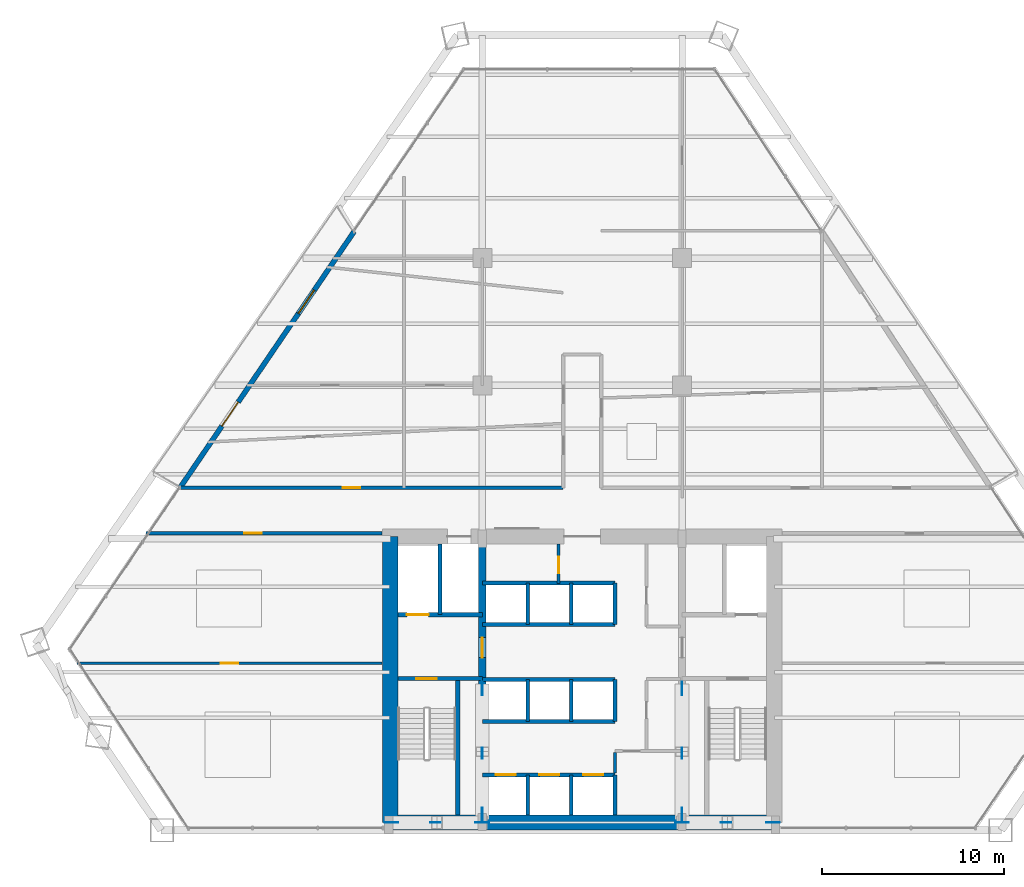
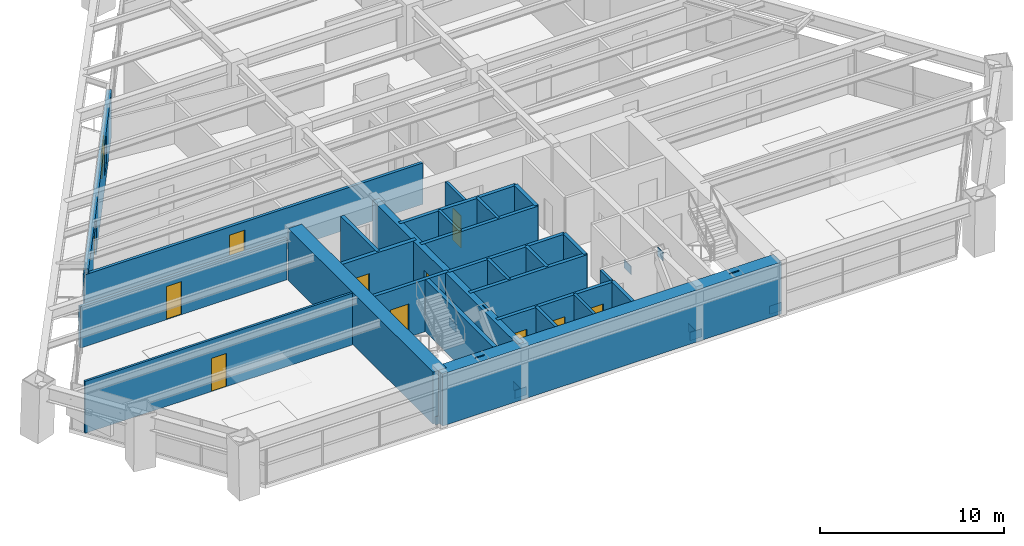
# One storey, part 10 of 14: 27 walls, 12 plates, 11 doors, 1 window, 12 openings.
"""IFC4 building model written with IfcOpenShell, lengths in metres."""

from ifc_helpers import new_model, si_unit, direction, frame, frame_2d, origin, origin_2d, place, context, subcontext, project, spatial, rectangle, extrude, source, transform, mapped, material, layer, layer_set, type_object, type_shapes, element, fill, save


model = new_model("IFC4")

# Units and contexts
model_context = context("Model", 3, precision=1e-05, world=origin(), true_north=direction((0.0, 1.0)))
body_context = subcontext(model_context, "Body", "Model", "MODEL_VIEW")
ifc_project = project(units=[si_unit("LENGTHUNIT", "METRE"), si_unit("AREAUNIT", "SQUARE_METRE"), si_unit("VOLUMEUNIT", "CUBIC_METRE"), si_unit("PLANEANGLEUNIT", "RADIAN"), si_unit("MASSUNIT", "GRAM", prefix="KILO")], contexts=[model_context])

# Site, building, storey
site_placement = place(None, origin())
site = spatial("IfcSite", under=ifc_project, at=site_placement, CompositionType="ELEMENT")
building_placement = place(site_placement, origin())
building = spatial("IfcBuilding", under=site, at=building_placement, Name="Varnakhor Terracotta Tower", CompositionType="ELEMENT")
storey_placement = place(building_placement, frame((0.0, 0.0, 64.5)))
storey = spatial("IfcBuildingStorey", under=building, at=storey_placement, Name="L15", CompositionType="ELEMENT", Elevation=64.5)

# Plates
ifc_material_1 = material(Name="Steel S460", Category="steel")
ifc_layer_1 = layer(ifc_material_1, 0.050048828125, Name="Steel S460")
ifc_layer_set_1 = layer_set([ifc_layer_1], Name="Steel S460")
plate_type = type_object("IfcPlateType", Name="PLT-GUSSET-50", PredefinedType="USERDEFINED", material=ifc_layer_set_1)
shared_shape_1 = source(origin(), body_context, "Body", "SweptSolid", [
    extrude(rectangle(XDim=0.75, YDim=0.0400390625, at=origin_2d()), origin(), (0.0, 0.0, 1.0), 0.550048828125),
])
type_shapes(plate_type, [shared_shape_1])
for number, where, z_axis, x_axis, name in (
    (1, (-10.5, 0.419921875, -0.09521484375), (0.0, 0.0, 1.0), (1.0, 0.0, 0.0), "L15 Core Brace Embed Plate CSWA"),
    (2, (-5.5, 0.419921875, -0.09521484375), (0.0, 0.0, 1.0), (1.0, 0.0, 0.0), "L15 Core Brace Embed Plate CSWB"),
    (3, (5.5, 0.419921875, -0.09521484375), (0.0, 0.0, 1.0), (1.0, 0.0, 0.0), "L15 Core Brace Embed Plate CSEA"),
    (4, (10.5, 0.419921875, -0.09521484375), (0.0, 0.0, 1.0), (1.0, 0.0, 0.0), "L15 Core Brace Embed Plate CSEB"),
    (5, (-5.5, 0.85009765625, -0.09521484375), (0.0, 0.0, 1.0), (0.0, 1.0, 0.0), "L15 Core Brace Embed Plate CWWA"),
    (6, (-5.5, 7.800048828125, -0.09521484375), (0.0, 0.0, 1.0), (0.0, 1.0, 0.0), "L15 Core Brace Embed Plate CWWB"),
    (7, (5.5, 0.85009765625, -0.09521484375), (0.0, 0.0, 1.0), (0.0, 1.0, 0.0), "L15 Core Brace Embed Plate CWEA"),
    (8, (5.5, 7.800048828125, -0.09521484375), (0.0, 0.0, 1.0), (0.0, 1.0, 0.0), "L15 Core Brace Embed Plate CWEB"),
):
    element("IfcPlate", number, at=place(storey_placement, frame(where, z_axis=z_axis, x_axis=x_axis)), inside=storey, type_object=plate_type, Name=name, ObjectType="GUSSET PLATE", PredefinedType="USERDEFINED", context=body_context, shape_type="MappedRepresentation", body=[
        mapped(shared_shape_1, transform((0.0, 0.0, 0.0), scale=1.0)),
    ])
shared_shape_2 = source(origin(), body_context, "Body", "SweptSolid", [
    extrude(rectangle(XDim=0.580078125, YDim=0.0400390625, at=origin_2d()), origin(), (0.0, 0.0, 1.0), 0.580078125),
])
for number, where, z_axis, x_axis, name in (
    (9, (-8.072509765625, 0.419921875, 2.914306640625), (0.0, 0.0, 1.0), (1.0, 0.0, 0.0), "L15 Brace End Connection Plate 48"),
    (10, (7.927490234375, 0.419921875, 2.914306640625), (0.0, 0.0, 1.0), (1.0, 0.0, 0.0), "L15 Brace End Connection Plate 49"),
    (11, (-5.5, 4.238037109375, 2.92724609375), (0.0, 0.0, 1.0), (0.0, 1.0, 0.0), "L15 Brace End Connection Plate 50"),
    (12, (5.5, 4.238037109375, 2.92724609375), (0.0, 0.0, 1.0), (0.0, 1.0, 0.0), "L15 Brace End Connection Plate 51"),
):
    element("IfcPlate", number, at=place(storey_placement, frame(where, z_axis=z_axis, x_axis=x_axis)), inside=storey, type_object=plate_type, Name=name, ObjectType="GUSSET PLATE", PredefinedType="USERDEFINED", context=body_context, shape_type="MappedRepresentation", body=[
        mapped(shared_shape_2, transform((0.0, 0.0, 0.0), scale=1.0)),
    ])

# Walls
ifc_material_2 = material(Name="Concrete C60/75", Category="concrete")
ifc_layer_2 = layer(ifc_material_2, 0.85009765625, Name="Concrete C60/75")
ifc_layer_set_2 = layer_set([ifc_layer_2], Name="Concrete C60/75")
wall_type_1 = type_object("IfcWallType", Name="WAL-CORE-850", PredefinedType="SHEAR", material=ifc_layer_set_2)
wall_1_placement = place(storey_placement, frame((-10.64990234375, 0.425048828125, 0.0), z_axis=(0.0, 0.0, 1.0), x_axis=(1.0, 0.0, 0.0)))
element("IfcWall", 13, at=wall_1_placement, inside=storey, type_object=wall_type_1, Name="L15 South Core Shear Wall", PredefinedType="SHEAR", context=body_context, shape_type="SweptSolid", body=[
    extrude(rectangle(XDim=21.2998046875, YDim=0.85009765625, at=frame_2d((10.64990234375, 0.0))), origin(), (0.0, 0.0, 1.0), 3.449951171875),
])
wall_2_placement = place(storey_placement, frame((-10.574951171875, 0.425048828125, 0.0), z_axis=(0.0, 0.0, 1.0), x_axis=(0.0, 1.0, 0.0)))
element("IfcWall", 14, at=wall_2_placement, inside=storey, type_object=wall_type_1, Name="L15 West Core Shear Wall", PredefinedType="SHEAR", context=body_context, shape_type="SweptSolid", body=[
    extrude(rectangle(XDim=15.75, YDim=0.85009765625, at=frame_2d((7.875, 0.0))), origin(), (0.0, 0.0, 1.0), 3.449951171875),
])

# Wall, opening, door
ifc_material_3 = material(Name="Concrete C50/60", Category="concrete")
ifc_layer_3 = layer(ifc_material_3, 0.39990234375, Name="Concrete C50/60")
ifc_layer_set_3 = layer_set([ifc_layer_3], Name="Concrete C50/60")
wall_type_2 = type_object("IfcWallType", Name="WAL-CORE-WEB-400", PredefinedType="SHEAR", material=ifc_layer_set_3)
wall_3_placement = place(storey_placement, frame((-5.5, 0.425048828125, 0.0), z_axis=(0.0, 0.0, 1.0), x_axis=(0.0, 1.0, 0.0)))
wall_3 = element("IfcWall", 15, at=wall_3_placement, inside=storey, type_object=wall_type_2, Name="L15 West Core Web Shear Wall", PredefinedType="SHEAR", context=body_context, shape_type="SweptSolid", body=[
    extrude(rectangle(XDim=15.75, YDim=0.39990234375, at=frame_2d((7.875, 0.0))), origin(), (0.0, 0.0, 1.0), 3.449951171875),
])
opening_1_placement = place(wall_3_placement, frame((9.074951171875, 0.0, 0.0)))
opening_1 = element("IfcOpeningElement", 16, at=opening_1_placement, cuts=wall_3, Name="Opening DR-25", PredefinedType="OPENING", context=body_context, shape_type="SweptSolid", body=[
    extrude(rectangle(XDim=1.10009765625, YDim=2.199951171875, at=frame_2d((0.550048828125, 1.10009765625))), frame((0.0, 0.2099609375, 0.0), z_axis=(0.0, -1.0, 0.0), x_axis=(1.0, 0.0, 0.0)), (0.0, 0.0, 1.0), 0.419921875),
])
ifc_material_4 = material(Name="Firefighting Lobby Self-Closing Fire Door", Category="steel")
door_type_1 = type_object("IfcDoorType", Name="DR-FFL-1100X2200", OperationType="NOTDEFINED", PredefinedType="DOOR", material=ifc_material_4)
shared_shape_3 = source(origin(), body_context, "Body", "SweptSolid", [
    extrude(rectangle(XDim=1.10009765625, YDim=2.199951171875, at=frame_2d((0.550048828125, 1.10009765625))), frame((0.0, 0.02490234375, 0.0), z_axis=(0.0, -1.0, 0.0), x_axis=(1.0, 0.0, 0.0)), (0.0, 0.0, 1.0), 0.050048828125),
])
type_shapes(door_type_1, [shared_shape_3])
door_1_placement = place(opening_1_placement, origin())
door_1 = element("IfcDoor", 17, at=door_1_placement, inside=storey, type_object=door_type_1, Name="L15 West Firefighting Lobby Door", OperationType="SINGLE_SWING_LEFT", OverallHeight=2.199951171875, OverallWidth=1.10009765625, PredefinedType="DOOR", context=body_context, shape_type="MappedRepresentation", body=[
    mapped(shared_shape_3, transform((0.0, 0.0, 0.0), scale=1.0)),
])
fill(opening_1, door_1)

ifc_material_5 = material(Name="Fire-Rated Gypsum Stud Partition", Category="gypsum")
ifc_layer_4 = layer(ifc_material_5, 0.18505859375, Name="Fire-Rated Gypsum Stud Partition")
ifc_layer_set_4 = layer_set([ifc_layer_4], Name="Fire-Rated Gypsum Stud Partition")
wall_type_3 = type_object("IfcWallType", Name="WAL-CORR-185", PredefinedType="PARTITIONING", material=ifc_layer_set_4)
wall_4_placement = place(storey_placement, frame((-24.00927734375, 16.35009765625, 0.0), z_axis=(0.0, 0.0, 1.0), x_axis=(1.0, 0.0, 0.0)))
wall_4 = element("IfcWall", 18, at=wall_4_placement, inside=storey, type_object=wall_type_3, Name="L15 South West Corridor Wall", PredefinedType="PARTITIONING", context=body_context, shape_type="SweptSolid", body=[
    extrude(rectangle(XDim=12.9892578125, YDim=0.18505859375, at=frame_2d((6.49462890625, 0.0))), origin(), (0.0, 0.0, 1.0), 2.7470703125),
])
opening_2_placement = place(wall_4_placement, frame((5.404052734375, 0.0, 0.0)))
opening_2 = element("IfcOpeningElement", 19, at=opening_2_placement, cuts=wall_4, Name="Opening DR-94", PredefinedType="OPENING", context=body_context, shape_type="SweptSolid", body=[
    extrude(rectangle(XDim=0.949951171875, YDim=2.199951171875, at=frame_2d((0.47509765625, 1.10009765625))), frame((0.0, 0.1025390625, 0.0), z_axis=(0.0, -1.0, 0.0), x_axis=(1.0, 0.0, 0.0)), (0.0, 0.0, 1.0), 0.205078125),
])
ifc_material_6 = material(Name="Acoustic Glazed-Vision Timber Office Door", Category="wood")
door_type_2 = type_object("IfcDoorType", Name="DR-OFF-950X2200", OperationType="NOTDEFINED", PredefinedType="DOOR", material=ifc_material_6)
shared_shape_4 = source(origin(), body_context, "Body", "SweptSolid", [
    extrude(rectangle(XDim=0.949951171875, YDim=2.199951171875, at=frame_2d((0.47509765625, 1.10009765625))), frame((0.0, 0.02490234375, 0.0), z_axis=(0.0, -1.0, 0.0), x_axis=(1.0, 0.0, 0.0)), (0.0, 0.0, 1.0), 0.050048828125),
])
type_shapes(door_type_2, [shared_shape_4])
door_2_placement = place(opening_2_placement, origin())
door_2 = element("IfcDoor", 20, at=door_2_placement, inside=storey, type_object=door_type_2, Name="L15 SW Suite Door", OperationType="SINGLE_SWING_RIGHT", OverallHeight=2.199951171875, OverallWidth=0.949951171875, PredefinedType="DOOR", context=body_context, shape_type="MappedRepresentation", body=[
    mapped(shared_shape_4, transform((0.0, 0.0, 0.0), scale=1.0)),
])
fill(opening_2, door_2)

wall_5_placement = place(storey_placement, frame((-22.310302734375, 18.85009765625, 0.0), z_axis=(0.0, 0.0, 1.0), x_axis=(1.0, 0.0, 0.0)))
wall_5 = element("IfcWall", 21, at=wall_5_placement, inside=storey, type_object=wall_type_3, Name="L15 Corridor North West Wall", PredefinedType="PARTITIONING", context=body_context, shape_type="SweptSolid", body=[
    extrude(rectangle(XDim=21.26025390625, YDim=0.18505859375, at=frame_2d((10.630126953125, 0.0))), origin(), (0.0, 0.0, 1.0), 2.7470703125),
])
opening_3_placement = place(wall_5_placement, frame((9.126220703125, 0.0, 0.0)))
opening_3 = element("IfcOpeningElement", 22, at=opening_3_placement, cuts=wall_5, Name="Opening DR-94", PredefinedType="OPENING", context=body_context, shape_type="SweptSolid", body=[
    extrude(rectangle(XDim=0.949951171875, YDim=2.199951171875, at=frame_2d((0.47509765625, 1.10009765625))), frame((0.0, 0.1025390625, 0.0), z_axis=(0.0, -1.0, 0.0), x_axis=(1.0, 0.0, 0.0)), (0.0, 0.0, 1.0), 0.205078125),
])
door_3_placement = place(opening_3_placement, origin())
door_3 = element("IfcDoor", 23, at=door_3_placement, inside=storey, type_object=door_type_2, Name="L15 West Workplace Door", OperationType="SINGLE_SWING_RIGHT", OverallHeight=2.199951171875, OverallWidth=0.949951171875, PredefinedType="DOOR", context=body_context, shape_type="MappedRepresentation", body=[
    mapped(shared_shape_4, transform((0.0, 0.0, 0.0), scale=1.0)),
])
fill(opening_3, door_3)

# Wall, openings, door, window
ifc_material_7 = material(Name="Extruded Architectural Terracotta Assembly", Category="masonry")
ifc_layer_5 = layer(ifc_material_7, 0.280029296875, Name="Extruded Architectural Terracotta Assembly")
ifc_layer_set_5 = layer_set([ifc_layer_5], Name="Extruded Architectural Terracotta Assembly")
wall_type_4 = type_object("IfcWallType", Name="WAL-EXT-TERRACOTTA-280", PredefinedType="SOLIDWALL", material=ifc_layer_set_5)
wall_6_placement = place(storey_placement, frame((-22.140869140625, 18.8681640625, 0.0), z_axis=(0.0, 0.0, 1.0), x_axis=(0.562061262824, 0.8270956032, 0.0)))
wall_6 = element("IfcWall", 24, at=wall_6_placement, inside=storey, type_object=wall_type_4, Name="L15 W Loggia Insulated Terracotta Wall", PredefinedType="SOLIDWALL", context=body_context, shape_type="SweptSolid", body=[
    extrude(rectangle(XDim=17.048095703125, YDim=0.280029296875, at=frame_2d((8.52392578125, 0.0))), origin(), (0.0, 0.0, 1.0), 3.030029296875),
])
opening_4_placement = place(wall_6_placement, frame((4.091552734375, 0.0, 0.0)))
opening_4 = element("IfcOpeningElement", 25, at=opening_4_placement, cuts=wall_6, Name="Opening DR-62", PredefinedType="OPENING", context=body_context, shape_type="SweptSolid", body=[
    extrude(rectangle(XDim=1.60009765625, YDim=2.35009765625, at=frame_2d((0.800048828125, 1.175048828125))), frame((0.0, 0.14990234375, 0.0), z_axis=(0.0, -1.0, 0.0), x_axis=(1.0, 0.0, 0.0)), (0.0, 0.0, 1.0), 0.300048828125),
])
opening_5_placement = place(wall_6_placement, frame((11.5927734375, 0.0, 0.89990234375)))
opening_5 = element("IfcOpeningElement", 26, at=opening_5_placement, cuts=wall_6, Name="Opening WN-57", PredefinedType="OPENING", context=body_context, shape_type="SweptSolid", body=[
    extrude(rectangle(XDim=1.550048828125, YDim=1.85009765625, at=frame_2d((0.77490234375, 0.925048828125))), frame((0.0, 0.14990234375, 0.0), z_axis=(0.0, -1.0, 0.0), x_axis=(1.0, 0.0, 0.0)), (0.0, 0.0, 1.0), 0.300048828125),
])
ifc_material_8 = material(Name="Thermally Broken Sliding Glass Loggia Door", Category="glass")
door_type_3 = type_object("IfcDoorType", Name="DR-EXT-LOGGIA-1600X2350", OperationType="NOTDEFINED", PredefinedType="DOOR", material=ifc_material_8)
shared_shape_5 = source(origin(), body_context, "Body", "SweptSolid", [
    extrude(rectangle(XDim=1.60009765625, YDim=2.35009765625, at=frame_2d((0.800048828125, 1.175048828125))), frame((0.0, 0.02490234375, 0.0), z_axis=(0.0, -1.0, 0.0), x_axis=(1.0, 0.0, 0.0)), (0.0, 0.0, 1.0), 0.050048828125),
])
type_shapes(door_type_3, [shared_shape_5])
door_4_placement = place(opening_4_placement, origin())
door_4 = element("IfcDoor", 27, at=door_4_placement, inside=storey, type_object=door_type_3, Name="L15 W Recessed Loggia Sliding Door", OperationType="SLIDING_TO_LEFT", OverallHeight=2.35009765625, OverallWidth=1.60009765625, PredefinedType="DOOR", context=body_context, shape_type="MappedRepresentation", body=[
    mapped(shared_shape_5, transform((0.0, 0.0, 0.0), scale=1.0)),
])
fill(opening_4, door_4)
ifc_material_9 = material(Name="Solar-Control Low-E Insulated Glass Unit", Category="glass")
window_type = type_object("IfcWindowType", Name="WIN-OFF-1650X2100", PartitioningType="SINGLE_PANEL", PredefinedType="WINDOW", material=ifc_material_9)
shared_shape_6 = source(origin(), body_context, "Body", "SweptSolid", [
    extrude(rectangle(XDim=1.550048828125, YDim=1.85009765625, at=frame_2d((0.77490234375, 0.925048828125))), frame((0.0, 0.030029296875, 0.0), z_axis=(0.0, -1.0, 0.0), x_axis=(1.0, 0.0, 0.0)), (0.0, 0.0, 1.0), 0.06005859375),
])
type_shapes(window_type, [shared_shape_6])
window_placement = place(opening_5_placement, origin())
window = element("IfcWindow", 28, at=window_placement, inside=storey, type_object=window_type, Name="L15 W Facet Punched Window", OverallHeight=1.85009765625, OverallWidth=1.550048828125, PartitioningType="SINGLE_PANEL", PredefinedType="WINDOW", context=body_context, shape_type="MappedRepresentation", body=[
    mapped(shared_shape_6, transform((0.0, 0.0, 0.0), scale=1.0)),
])
fill(opening_5, window)

# Wall, opening, door
ifc_material_10 = material(Name="Concrete C40/50", Category="concrete")
ifc_layer_6 = layer(ifc_material_10, 0.219970703125, Name="Concrete C40/50")
ifc_layer_set_6 = layer_set([ifc_layer_6], Name="Concrete C40/50")
wall_type_5 = type_object("IfcWallType", Name="WAL-FFLOBBY-220", PredefinedType="SOLIDWALL", material=ifc_layer_set_6)
wall_7_placement = place(storey_placement, frame((-5.5, 8.35009765625, 0.0), z_axis=(0.0, 0.0, 1.0), x_axis=(-1.0, 0.0, 0.0)))
wall_7 = element("IfcWall", 29, at=wall_7_placement, inside=storey, type_object=wall_type_5, Name="L15 West Firefighting Lobby Stair Wall", PredefinedType="SOLIDWALL", context=body_context, shape_type="SweptSolid", body=[
    extrude(rectangle(XDim=4.64990234375, YDim=0.219970703125, at=frame_2d((2.324951171875, 0.0))), origin(), (0.0, 0.0, 1.0), 3.449951171875),
])
opening_6_placement = place(wall_7_placement, frame((2.5, 0.0, 0.0)))
opening_6 = element("IfcOpeningElement", 30, at=opening_6_placement, cuts=wall_7, Name="Opening DR-34", PredefinedType="OPENING", context=body_context, shape_type="SweptSolid", body=[
    extrude(rectangle(XDim=1.14990234375, YDim=2.199951171875, at=frame_2d((0.574951171875, 1.10009765625))), frame((0.0, 0.1201171875, 0.0), z_axis=(0.0, -1.0, 0.0), x_axis=(1.0, 0.0, 0.0)), (0.0, 0.0, 1.0), 0.239990234375),
])
ifc_material_11 = material(Name="Self-Closing Smoke-Sealed Steel Fire Door", Category="steel")
door_type_4 = type_object("IfcDoorType", Name="DR-STAIR-1150X2200", OperationType="NOTDEFINED", PredefinedType="DOOR", material=ifc_material_11)
shared_shape_7 = source(origin(), body_context, "Body", "SweptSolid", [
    extrude(rectangle(XDim=1.14990234375, YDim=2.199951171875, at=frame_2d((0.574951171875, 1.10009765625))), frame((0.0, 0.02490234375, 0.0), z_axis=(0.0, -1.0, 0.0), x_axis=(1.0, 0.0, 0.0)), (0.0, 0.0, 1.0), 0.050048828125),
])
type_shapes(door_type_4, [shared_shape_7])
door_5_placement = place(opening_6_placement, origin())
door_5 = element("IfcDoor", 31, at=door_5_placement, inside=storey, type_object=door_type_4, Name="L15 Exit Stair ST-1 Fire Door", OperationType="SINGLE_SWING_RIGHT", OverallHeight=2.199951171875, OverallWidth=1.14990234375, PredefinedType="DOOR", context=body_context, shape_type="MappedRepresentation", body=[
    mapped(shared_shape_7, transform((0.0, 0.0, 0.0), scale=1.0)),
])
fill(opening_6, door_5)

ifc_material_12 = material(Name="Acoustic Metal-Stud Partition", Category="gypsum")
ifc_layer_7 = layer(ifc_material_12, 0.139892578125, Name="Acoustic Metal-Stud Partition")
ifc_layer_set_7 = layer_set([ifc_layer_7], Name="Acoustic Metal-Stud Partition")
wall_type_6 = type_object("IfcWallType", Name="WAL-PART-140", PredefinedType="PARTITIONING", material=ifc_layer_set_7)
wall_8_placement = place(storey_placement, frame((-27.830810546875, 9.199951171875, 0.0), z_axis=(0.0, 0.0, 1.0), x_axis=(1.0, 0.0, 0.0)))
wall_8 = element("IfcWall", 32, at=wall_8_placement, inside=storey, type_object=wall_type_6, Name="L15 South West Cut 1", PredefinedType="PARTITIONING", context=body_context, shape_type="SweptSolid", body=[
    extrude(rectangle(XDim=16.810791015625, YDim=0.139892578125, at=frame_2d((8.4052734375, 0.0))), origin(), (0.0, 0.0, 1.0), 3.44189453125),
])
opening_7_placement = place(wall_8_placement, frame((7.94091796875, 0.0, 0.0)))
opening_7 = element("IfcOpeningElement", 33, at=opening_7_placement, cuts=wall_8, Name="Opening DR-94", PredefinedType="OPENING", context=body_context, shape_type="SweptSolid", body=[
    extrude(rectangle(XDim=0.949951171875, YDim=2.199951171875, at=frame_2d((0.47509765625, 1.10009765625))), frame((0.0, 0.080078125, 0.0), z_axis=(0.0, -1.0, 0.0), x_axis=(1.0, 0.0, 0.0)), (0.0, 0.0, 1.0), 0.159912109375),
])
door_6_placement = place(opening_7_placement, origin())
door_6 = element("IfcDoor", 34, at=door_6_placement, inside=storey, type_object=door_type_2, Name="L15 South West Executive Office Door", OperationType="SINGLE_SWING_RIGHT", OverallHeight=2.199951171875, OverallWidth=0.949951171875, PredefinedType="DOOR", context=body_context, shape_type="MappedRepresentation", body=[
    mapped(shared_shape_4, transform((0.0, 0.0, 0.0), scale=1.0)),
])
fill(opening_7, door_6)

# Walls
ifc_layer_8 = layer(ifc_material_10, 0.179931640625, Name="Concrete C40/50")
ifc_layer_set_8 = layer_set([ifc_layer_8], Name="Concrete C40/50")
wall_type_7 = type_object("IfcWallType", Name="WAL-SHAFT-180", PredefinedType="SOLIDWALL", material=ifc_layer_set_8)
for number, where, z_axis, x_axis, name in (
    (35, (-3.0, 0.85009765625, 0.0), (0.0, 0.0, 1.0), (0.0, 1.0, 0.0), "L15 PL-1A Divider"),
    (36, (-0.60009765625, 0.85009765625, 0.0), (0.0, 0.0, 1.0), (0.0, 1.0, 0.0), "L15 PL-1B Divider"),
):
    element("IfcWall", number, at=place(storey_placement, frame(where, z_axis=z_axis, x_axis=x_axis)), inside=storey, type_object=wall_type_7, Name=name, PredefinedType="SOLIDWALL", context=body_context, shape_type="SweptSolid", body=[
        extrude(rectangle(XDim=2.199951171875, YDim=0.179931640625, at=frame_2d((1.10009765625, 0.0))), origin(), (0.0, 0.0, 1.0), 3.449951171875),
    ])
for number, where, z_axis, x_axis, name in (
    (37, (-3.0, 6.0, 0.0), (0.0, 0.0, 1.0), (0.0, 1.0, 0.0), "L15 PL-2A Divider"),
    (38, (-0.60009765625, 6.0, 0.0), (0.0, 0.0, 1.0), (0.0, 1.0, 0.0), "L15 PL-2B Divider"),
    (39, (-3.0, 11.320068359375, 0.0), (0.0, 0.0, 1.0), (0.0, 1.0, 0.0), "L15 PL-3A Divider"),
    (40, (-0.60009765625, 11.320068359375, 0.0), (0.0, 0.0, 1.0), (0.0, 1.0, 0.0), "L15 PL-3B Divider"),
):
    element("IfcWall", number, at=place(storey_placement, frame(where, z_axis=z_axis, x_axis=x_axis)), inside=storey, type_object=wall_type_7, Name=name, PredefinedType="SOLIDWALL", context=body_context, shape_type="SweptSolid", body=[
        extrude(rectangle(XDim=2.300048828125, YDim=0.179931640625, at=frame_2d((1.14990234375, 0.0))), origin(), (0.0, 0.0, 1.0), 3.449951171875),
    ])
ifc_layer_9 = layer(ifc_material_10, 0.219970703125, Name="Concrete C40/50")
ifc_layer_set_9 = layer_set([ifc_layer_9], Name="Concrete C40/50")
wall_type_8 = type_object("IfcWallType", Name="WAL-SHAFT-220", PredefinedType="SOLIDWALL", material=ifc_layer_set_9)
wall_9_placement = place(storey_placement, frame((-7.840087890625, 11.8701171875, 0.0), z_axis=(0.0, 0.0, 1.0), x_axis=(0.0, 1.0, 0.0)))
element("IfcWall", 41, at=wall_9_placement, inside=storey, type_object=wall_type_8, Name="L15 Lift FFL-1 and SVL-1 Divider Wall", PredefinedType="SOLIDWALL", context=body_context, shape_type="SweptSolid", body=[
    extrude(rectangle(XDim=3.8798828125, YDim=0.219970703125, at=frame_2d((1.93994140625, 0.0))), origin(), (0.0, 0.0, 1.0), 3.449951171875),
])

# Wall, openings, doors
wall_10_placement = place(storey_placement, frame((-5.5, 3.050048828125, 0.0), z_axis=(0.0, 0.0, 1.0), x_axis=(1.0, 0.0, 0.0)))
wall_10 = element("IfcWall", 42, at=wall_10_placement, inside=storey, type_object=wall_type_8, Name="L15 Bank 1 Lift Shaft Wall", PredefinedType="SOLIDWALL", context=body_context, shape_type="SweptSolid", body=[
    extrude(rectangle(XDim=7.320068359375, YDim=0.219970703125, at=frame_2d((3.66015625, 0.0))), origin(), (0.0, 0.0, 1.0), 3.449951171875),
])
opening_8_placement = place(wall_10_placement, frame((0.75, 0.0, 0.0)))
opening_8 = element("IfcOpeningElement", 43, at=opening_8_placement, cuts=wall_10, Name="Opening LD-01", PredefinedType="OPENING", context=body_context, shape_type="SweptSolid", body=[
    extrude(rectangle(XDim=1.10009765625, YDim=2.199951171875, at=frame_2d((0.550048828125, 1.10009765625))), frame((0.0, 0.1201171875, 0.0), z_axis=(0.0, -1.0, 0.0), x_axis=(1.0, 0.0, 0.0)), (0.0, 0.0, 1.0), 0.239990234375),
])
opening_9_placement = place(wall_10_placement, frame((3.14990234375, 0.0, 0.0)))
opening_9 = element("IfcOpeningElement", 44, at=opening_9_placement, cuts=wall_10, Name="Opening LD-01", PredefinedType="OPENING", context=body_context, shape_type="SweptSolid", body=[
    extrude(rectangle(XDim=1.10009765625, YDim=2.199951171875, at=frame_2d((0.550048828125, 1.10009765625))), frame((0.0, 0.1201171875, 0.0), z_axis=(0.0, -1.0, 0.0), x_axis=(1.0, 0.0, 0.0)), (0.0, 0.0, 1.0), 0.239990234375),
])
opening_10_placement = place(wall_10_placement, frame((5.550048828125, 0.0, 0.0)))
opening_10 = element("IfcOpeningElement", 45, at=opening_10_placement, cuts=wall_10, Name="Opening LD-01", PredefinedType="OPENING", context=body_context, shape_type="SweptSolid", body=[
    extrude(rectangle(XDim=1.10009765625, YDim=2.199951171875, at=frame_2d((0.550048828125, 1.10009765625))), frame((0.0, 0.1201171875, 0.0), z_axis=(0.0, -1.0, 0.0), x_axis=(1.0, 0.0, 0.0)), (0.0, 0.0, 1.0), 0.239990234375),
])
ifc_material_13 = material(Name="Brushed Stainless Steel Sliding Lift Landing Door", Category="steel")
door_type_5 = type_object("IfcDoorType", Name="LD-PASS-1100X2200", OperationType="NOTDEFINED", PredefinedType="DOOR", material=ifc_material_13)
shared_shape_8 = source(origin(), body_context, "Body", "SweptSolid", [
    extrude(rectangle(XDim=1.10009765625, YDim=2.199951171875, at=frame_2d((0.550048828125, 1.10009765625))), frame((0.0, 0.02490234375, 0.0), z_axis=(0.0, -1.0, 0.0), x_axis=(1.0, 0.0, 0.0)), (0.0, 0.0, 1.0), 0.050048828125),
])
type_shapes(door_type_5, [shared_shape_8])
door_7_placement = place(opening_8_placement, origin())
door_7 = element("IfcDoor", 46, at=door_7_placement, inside=storey, type_object=door_type_5, Name="L15 Passenger Lift PL-1A Landing Door", OperationType="SLIDING_TO_RIGHT", OverallHeight=2.199951171875, OverallWidth=1.10009765625, PredefinedType="DOOR", context=body_context, shape_type="MappedRepresentation", body=[
    mapped(shared_shape_8, transform((0.0, 0.0, 0.0), scale=1.0)),
])
fill(opening_8, door_7)
door_8_placement = place(opening_9_placement, origin())
door_8 = element("IfcDoor", 47, at=door_8_placement, inside=storey, type_object=door_type_5, Name="L15 Passenger Lift PL-1B Landing Door", OperationType="SLIDING_TO_RIGHT", OverallHeight=2.199951171875, OverallWidth=1.10009765625, PredefinedType="DOOR", context=body_context, shape_type="MappedRepresentation", body=[
    mapped(shared_shape_8, transform((0.0, 0.0, 0.0), scale=1.0)),
])
fill(opening_9, door_8)
door_9_placement = place(opening_10_placement, origin())
door_9 = element("IfcDoor", 48, at=door_9_placement, inside=storey, type_object=door_type_5, Name="L15 Passenger Lift PL-1C Landing Door", OperationType="SLIDING_TO_RIGHT", OverallHeight=2.199951171875, OverallWidth=1.10009765625, PredefinedType="DOOR", context=body_context, shape_type="MappedRepresentation", body=[
    mapped(shared_shape_8, transform((0.0, 0.0, 0.0), scale=1.0)),
])
fill(opening_10, door_9)

# Walls
wall_11_placement = place(storey_placement, frame((1.800048828125, 0.85009765625, 0.0), z_axis=(0.0, 0.0, 1.0), x_axis=(0.0, 1.0, 0.0)))
element("IfcWall", 49, at=wall_11_placement, inside=storey, type_object=wall_type_8, Name="L15 Bank 1 East Shaft Wall", PredefinedType="SOLIDWALL", context=body_context, shape_type="SweptSolid", body=[
    extrude(rectangle(XDim=2.199951171875, YDim=0.219970703125, at=frame_2d((1.10009765625, 0.0))), origin(), (0.0, 0.0, 1.0), 3.449951171875),
])
for number, where, z_axis, x_axis, name in (
    (50, (-5.5, 6.0, 0.0), (0.0, 0.0, 1.0), (1.0, 0.0, 0.0), "L15 Bank 2 South Shaft Wall"),
    (51, (-5.5, 8.300048828125, 0.0), (0.0, 0.0, 1.0), (1.0, 0.0, 0.0), "L15 Bank 2 North Shaft Wall"),
):
    element("IfcWall", number, at=place(storey_placement, frame(where, z_axis=z_axis, x_axis=x_axis)), inside=storey, type_object=wall_type_8, Name=name, PredefinedType="SOLIDWALL", context=body_context, shape_type="SweptSolid", body=[
        extrude(rectangle(XDim=7.320068359375, YDim=0.219970703125, at=frame_2d((3.66015625, 0.0))), origin(), (0.0, 0.0, 1.0), 3.449951171875),
    ])
wall_12_placement = place(storey_placement, frame((1.800048828125, 6.0, 0.0), z_axis=(0.0, 0.0, 1.0), x_axis=(0.0, 1.0, 0.0)))
element("IfcWall", 52, at=wall_12_placement, inside=storey, type_object=wall_type_8, Name="L15 Bank 2 East Shaft Wall", PredefinedType="SOLIDWALL", context=body_context, shape_type="SweptSolid", body=[
    extrude(rectangle(XDim=2.300048828125, YDim=0.219970703125, at=frame_2d((1.14990234375, 0.0))), origin(), (0.0, 0.0, 1.0), 3.449951171875),
])
for number, where, z_axis, x_axis, name in (
    (53, (-5.5, 11.320068359375, 0.0), (0.0, 0.0, 1.0), (1.0, 0.0, 0.0), "L15 Bank 3 South Shaft Wall"),
    (54, (-5.5, 13.6201171875, 0.0), (0.0, 0.0, 1.0), (1.0, 0.0, 0.0), "L15 Bank 3 North Shaft Wall"),
):
    element("IfcWall", number, at=place(storey_placement, frame(where, z_axis=z_axis, x_axis=x_axis)), inside=storey, type_object=wall_type_8, Name=name, PredefinedType="SOLIDWALL", context=body_context, shape_type="SweptSolid", body=[
        extrude(rectangle(XDim=7.320068359375, YDim=0.219970703125, at=frame_2d((3.66015625, 0.0))), origin(), (0.0, 0.0, 1.0), 3.449951171875),
    ])
wall_13_placement = place(storey_placement, frame((1.800048828125, 11.320068359375, 0.0), z_axis=(0.0, 0.0, 1.0), x_axis=(0.0, 1.0, 0.0)))
element("IfcWall", 55, at=wall_13_placement, inside=storey, type_object=wall_type_8, Name="L15 Bank 3 East Shaft Wall", PredefinedType="SOLIDWALL", context=body_context, shape_type="SweptSolid", body=[
    extrude(rectangle(XDim=2.300048828125, YDim=0.219970703125, at=frame_2d((1.14990234375, 0.0))), origin(), (0.0, 0.0, 1.0), 3.449951171875),
])
ifc_layer_10 = layer(ifc_material_10, 0.25, Name="Concrete C40/50")
ifc_layer_set_10 = layer_set([ifc_layer_10], Name="Concrete C40/50")
wall_type_9 = type_object("IfcWallType", Name="WAL-SHAFT-250", PredefinedType="SOLIDWALL", material=ifc_layer_set_10)
wall_14_placement = place(storey_placement, frame((-6.85009765625, 0.85009765625, 0.0), z_axis=(0.0, 0.0, 1.0), x_axis=(0.0, 1.0, 0.0)))
element("IfcWall", 56, at=wall_14_placement, inside=storey, type_object=wall_type_9, Name="L15 Stair ST-1 Bearing Shaft Wall", PredefinedType="SOLIDWALL", context=body_context, shape_type="SweptSolid", body=[
    extrude(rectangle(XDim=7.5, YDim=0.25, at=frame_2d((3.75, 0.0))), origin(), (0.0, 0.0, 1.0), 3.449951171875),
])

# Wall, opening, door
wall_15_placement = place(storey_placement, frame((-5.5, 11.8701171875, 0.0), z_axis=(0.0, 0.0, 1.0), x_axis=(-1.0, 0.0, 0.0)))
wall_15 = element("IfcWall", 57, at=wall_15_placement, inside=storey, type_object=wall_type_9, Name="L15 Lift FFL-1 Shaft Front Wall", PredefinedType="SOLIDWALL", context=body_context, shape_type="SweptSolid", body=[
    extrude(rectangle(XDim=4.64990234375, YDim=0.25, at=frame_2d((2.324951171875, 0.0))), origin(), (0.0, 0.0, 1.0), 3.449951171875),
])
opening_11_placement = place(wall_15_placement, frame((2.949951171875, 0.0, 0.0)))
opening_11 = element("IfcOpeningElement", 58, at=opening_11_placement, cuts=wall_15, Name="Opening LD-02", PredefinedType="OPENING", context=body_context, shape_type="SweptSolid", body=[
    extrude(rectangle(XDim=1.199951171875, YDim=2.25, at=frame_2d((0.60009765625, 1.125))), frame((0.0, 0.135009765625, 0.0), z_axis=(0.0, -1.0, 0.0), x_axis=(1.0, 0.0, 0.0)), (0.0, 0.0, 1.0), 0.27001953125),
])
ifc_material_14 = material(Name="Firefighting Stretcher Sliding Lift Landing Door", Category="steel")
door_type_6 = type_object("IfcDoorType", Name="LD-FFL-1200X2250", OperationType="NOTDEFINED", PredefinedType="DOOR", material=ifc_material_14)
shared_shape_9 = source(origin(), body_context, "Body", "SweptSolid", [
    extrude(rectangle(XDim=1.199951171875, YDim=2.25, at=frame_2d((0.60009765625, 1.125))), frame((0.0, 0.02490234375, 0.0), z_axis=(0.0, -1.0, 0.0), x_axis=(1.0, 0.0, 0.0)), (0.0, 0.0, 1.0), 0.050048828125),
])
type_shapes(door_type_6, [shared_shape_9])
door_10_placement = place(opening_11_placement, origin())
door_10 = element("IfcDoor", 59, at=door_10_placement, inside=storey, type_object=door_type_6, Name="L15 Firefighting Lift FFL-1 Landing Door", OperationType="SLIDING_TO_LEFT", OverallHeight=2.25, OverallWidth=1.199951171875, PredefinedType="DOOR", context=body_context, shape_type="MappedRepresentation", body=[
    mapped(shared_shape_9, transform((0.0, 0.0, 0.0), scale=1.0)),
])
fill(opening_11, door_10)

# Wall
ifc_material_15 = material(Name="Acoustic Fire-Rated Partition", Category="gypsum")
ifc_layer_11 = layer(ifc_material_15, 0.1650390625, Name="Acoustic Fire-Rated Partition")
ifc_layer_set_11 = layer_set([ifc_layer_11], Name="Acoustic Fire-Rated Partition")
wall_type_10 = type_object("IfcWallType", Name="WAL-TENANCY-165", PredefinedType="PARTITIONING", material=ifc_layer_set_11)
wall_16_placement = place(storey_placement, frame((1.800048828125, 3.159912109375, 0.0), z_axis=(0.0, 0.0, 1.0), x_axis=(0.0, 1.0, 0.0)))
element("IfcWall", 60, at=wall_16_placement, inside=storey, type_object=wall_type_10, Name="L15 Core South West Return Wall", PredefinedType="PARTITIONING", context=body_context, shape_type="SweptSolid", body=[
    extrude(rectangle(XDim=1.107666015625, YDim=0.1650390625, at=frame_2d((0.5537109375, 0.0))), origin(), (0.0, 0.0, 1.0), 3.44189453125),
])

# Wall, opening, door
wall_17_placement = place(storey_placement, frame((-1.300048828125, 13.60009765625, 0.0), z_axis=(0.0, 0.0, 1.0), x_axis=(0.0, 1.0, 0.0)))
wall_17 = element("IfcWall", 61, at=wall_17_placement, inside=storey, type_object=wall_type_10, Name="L15 Male Restroom Wall", PredefinedType="PARTITIONING", context=body_context, shape_type="SweptSolid", body=[
    extrude(rectangle(XDim=2.14990234375, YDim=0.1650390625, at=frame_2d((1.074951171875, 0.0))), origin(), (0.0, 0.0, 1.0), 3.44189453125),
])
opening_12_placement = place(wall_17_placement, frame((0.550048828125, 0.0, 0.0)))
opening_12 = element("IfcOpeningElement", 62, at=opening_12_placement, cuts=wall_17, Name="Opening DR-67", PredefinedType="OPENING", context=body_context, shape_type="SweptSolid", body=[
    extrude(rectangle(XDim=0.89990234375, YDim=2.10009765625, at=frame_2d((0.449951171875, 1.050048828125))), frame((0.0, 0.092529296875, 0.0), z_axis=(0.0, -1.0, 0.0), x_axis=(1.0, 0.0, 0.0)), (0.0, 0.0, 1.0), 0.18505859375),
])
ifc_material_16 = material(Name="Steel Service Riser Fire Door", Category="steel")
door_type_7 = type_object("IfcDoorType", Name="DR-RISER-900X2100", OperationType="NOTDEFINED", PredefinedType="DOOR", material=ifc_material_16)
shared_shape_10 = source(origin(), body_context, "Body", "SweptSolid", [
    extrude(rectangle(XDim=0.89990234375, YDim=2.10009765625, at=frame_2d((0.449951171875, 1.050048828125))), frame((0.0, 0.02490234375, 0.0), z_axis=(0.0, -1.0, 0.0), x_axis=(1.0, 0.0, 0.0)), (0.0, 0.0, 1.0), 0.050048828125),
])
type_shapes(door_type_7, [shared_shape_10])
door_11_placement = place(opening_12_placement, origin())
door_11 = element("IfcDoor", 63, at=door_11_placement, inside=storey, type_object=door_type_7, Name="L15 Male WC Door", OperationType="SINGLE_SWING_RIGHT", OverallHeight=2.10009765625, OverallWidth=0.89990234375, PredefinedType="DOOR", context=body_context, shape_type="MappedRepresentation", body=[
    mapped(shared_shape_10, transform((0.0, 0.0, 0.0), scale=1.0)),
])
fill(opening_12, door_11)

save(model, "model.ifc")
